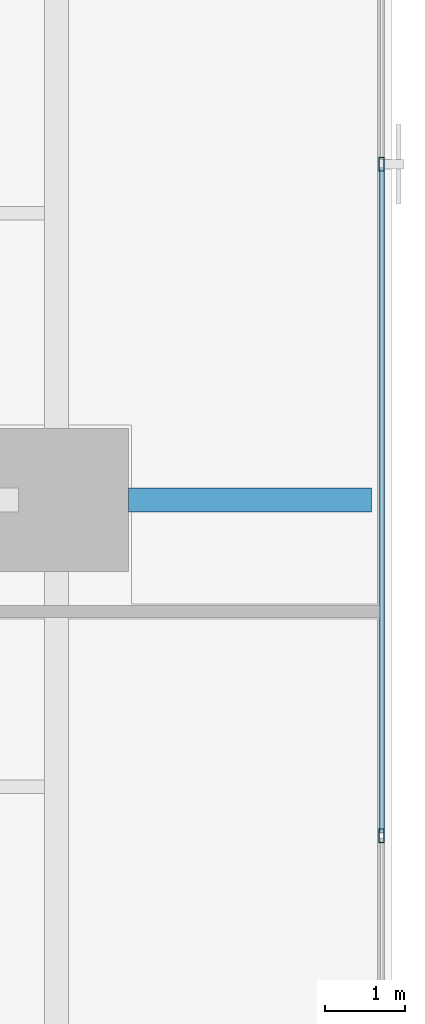
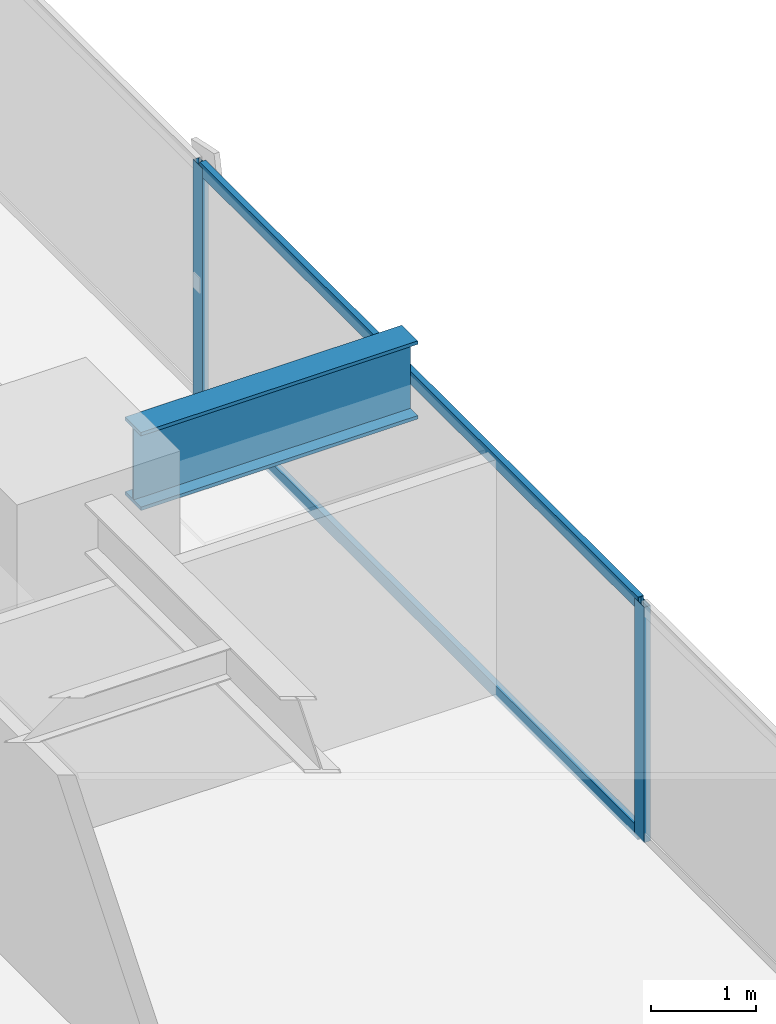
# One storey, part 14 of 32: 4 members, 1 beam, 1 element without a shape of its own.
"""IFC4 building model written with IfcOpenShell, lengths in metres."""

from ifc_helpers import new_model, si_unit, direction, frame, origin, origin_2d, place, context, subcontext, project, spatial, hollow_rectangle, i_section, extrude, source, transform, mapped, material, layer, layer_set, material_profile, profile_set, type_object, element, aggregate, save


model = new_model("IFC4")

# Units and contexts
model_context = context("Model", 3, precision=1e-05, world=origin(), true_north=direction((0.0, 1.0)))
body_context = subcontext(model_context, "Body", "Model", "MODEL_VIEW")
ifc_project = project(units=[si_unit("LENGTHUNIT", "METRE"), si_unit("AREAUNIT", "SQUARE_METRE"), si_unit("VOLUMEUNIT", "CUBIC_METRE"), si_unit("PLANEANGLEUNIT", "RADIAN"), si_unit("MASSUNIT", "GRAM", prefix="KILO")], contexts=[model_context])

# Site, building, storey
site_placement = place(None, origin())
site = spatial("IfcSite", under=ifc_project, at=site_placement, CompositionType="ELEMENT")
building_placement = place(site_placement, origin())
building = spatial("IfcBuilding", under=site, at=building_placement, Name="Sumidabori Civic Tower", CompositionType="ELEMENT")
storey_placement = place(building_placement, frame((0.0, 0.0, 52.39990234375)))
storey = spatial("IfcBuildingStorey", under=building, at=storey_placement, Name="L13", CompositionType="ELEMENT", Elevation=52.39990234375)

# Beam
ifc_material_1 = material(Name="Steel SN490", Category="steel")
ifc_material_profile_1 = material_profile(ifc_material_1, i_section(OverallWidth=0.302001953125, OverallDepth=0.909912109375, WebThickness=0.02099609375, FlangeThickness=0.0400390625, at=origin_2d()), Name="HE 900 M")
ifc_profile_set_1 = profile_set([ifc_material_profile_1], Name="Steel SN490")
beam_type = type_object("IfcBeamType", Name="BM-Z1-EDGE", PredefinedType="SPANDREL", material=ifc_profile_set_1)
shared_shape_1 = source(origin(), body_context, "Body", "SweptSolid", [
    extrude(i_section(OverallWidth=0.302001953125, OverallDepth=0.909912109375, WebThickness=0.02099609375, FlangeThickness=0.0400390625, at=origin_2d()), origin(), (0.0, 0.0, 1.0), 3.050048828125),
])
beam_placement = place(storey_placement, frame((23.699951171875, 0.0, 2.905029296875), z_axis=(1.0, 0.0, 0.0), x_axis=(0.0, 1.0, 0.0)))
element("IfcBeam", 1, at=beam_placement, inside=storey, type_object=beam_type, Name="Perimeter Overhang Beam L13 E-45", PredefinedType="SPANDREL", context=body_context, shape_type="MappedRepresentation", body=[
    mapped(shared_shape_1, transform((0.0, 0.0, 0.0), x_axis=(1.0, 0.0, 0.0), y_axis=(0.0, 1.0, 0.0), z_axis=(0.0, 0.0, 1.0), scale=1.0)),
])

# Curtain wall, members
ifc_material_2 = material(Name="Anodised Bronze Aluminium AW-6063-T6", Category="aluminium")
ifc_layer = layer(ifc_material_2, 0.179931640625, Name="Anodised Bronze Aluminium AW-6063-T6")
ifc_layer_set = layer_set([ifc_layer], Name="Anodised Bronze Aluminium AW-6063-T6")
curtain_wall_type = type_object("IfcCurtainWallType", Name="CW-SYS-2", PredefinedType="NOTDEFINED", material=ifc_layer_set)
curtain_wall_placement = place(storey_placement, origin())
curtain_wall = element("IfcCurtainWall", 2, at=curtain_wall_placement, inside=storey, type_object=curtain_wall_type, Name="Curtain Wall CW:L13:R04", PredefinedType="NOTDEFINED")
ifc_material_profile_2 = material_profile(ifc_material_2, hollow_rectangle(XDim=0.070068359375, YDim=0.179931640625, WallThickness=0.006103515625, at=origin_2d()), Name="ALU MULLION 180x70")
ifc_profile_set_2 = profile_set([ifc_material_profile_2], Name="Anodised Bronze Aluminium AW-6063-T6")
member_type_1 = type_object("IfcMemberType", Name="CW-MUL-180", PredefinedType="MULLION", material=ifc_profile_set_2)
shared_shape_2 = source(origin(), body_context, "Body", "SweptSolid", [
    extrude(hollow_rectangle(XDim=0.070068359375, YDim=0.179931640625, WallThickness=0.006103515625, at=origin_2d()), origin(), (0.0, 0.0, 1.0), 2.739990234375),
])
member_1_placement = place(storey_placement, frame((26.8798828125, -4.214111328125, 0.0), z_axis=(0.0, 0.0, 1.0), x_axis=(-1.0, 0.0, 0.0)))
member_1 = element("IfcMember", 3, at=member_1_placement, type_object=member_type_1, Name="CW-2 mullion 3", PredefinedType="MULLION", context=body_context, shape_type="MappedRepresentation", body=[
    mapped(shared_shape_2, transform((0.0, 0.0, 0.0), x_axis=(1.0, 0.0, 0.0), y_axis=(0.0, 1.0, 0.0), z_axis=(0.0, 0.0, 1.0), scale=1.0)),
])
member_2_placement = place(storey_placement, frame((26.8798828125, 4.214111328125, 0.0), z_axis=(0.0, 0.0, 1.0), x_axis=(-1.0, 0.0, 0.0)))
member_2 = element("IfcMember", 4, at=member_2_placement, type_object=member_type_1, Name="CW-2 mullion 4", PredefinedType="MULLION", context=body_context, shape_type="MappedRepresentation", body=[
    mapped(shared_shape_2, transform((0.0, 0.0, 0.0), x_axis=(1.0, 0.0, 0.0), y_axis=(0.0, 1.0, 0.0), z_axis=(0.0, 0.0, 1.0), scale=1.0)),
])
ifc_material_profile_3 = material_profile(ifc_material_2, hollow_rectangle(XDim=0.06494140625, YDim=0.14990234375, WallThickness=0.0048828125, at=origin_2d()), Name="ALU TRANSOM 150x65")
ifc_profile_set_3 = profile_set([ifc_material_profile_3], Name="Anodised Bronze Aluminium AW-6063-T6")
member_type_2 = type_object("IfcMemberType", Name="CW-TRN-150", PredefinedType="USERDEFINED", material=ifc_profile_set_3)
shared_shape_3 = source(origin(), body_context, "Body", "SweptSolid", [
    extrude(hollow_rectangle(XDim=0.06494140625, YDim=0.14990234375, WallThickness=0.0048828125, at=origin_2d()), origin(), (0.0, 0.0, 1.0), 8.35791015625),
])
member_3_placement = place(storey_placement, frame((26.8798828125, -4.178955078125, 0.03271484375), z_axis=(0.0, 1.0, 0.0), x_axis=(-1.0, 0.0, 0.0)))
member_3 = element("IfcMember", 5, at=member_3_placement, type_object=member_type_2, Name="CW-2 transom 3.1", ObjectType="TRANSOM", PredefinedType="USERDEFINED", context=body_context, shape_type="MappedRepresentation", body=[
    mapped(shared_shape_3, transform((0.0, 0.0, 0.0), x_axis=(1.0, 0.0, 0.0), y_axis=(0.0, 1.0, 0.0), z_axis=(0.0, 0.0, 1.0), scale=1.0)),
])
member_4_placement = place(storey_placement, frame((26.8798828125, -4.178955078125, 2.70751953125), z_axis=(0.0, 1.0, 0.0), x_axis=(-1.0, 0.0, 0.0)))
member_4 = element("IfcMember", 6, at=member_4_placement, type_object=member_type_2, Name="CW-2 transom 3.2", ObjectType="TRANSOM", PredefinedType="USERDEFINED", context=body_context, shape_type="MappedRepresentation", body=[
    mapped(shared_shape_3, transform((0.0, 0.0, 0.0), x_axis=(1.0, 0.0, 0.0), y_axis=(0.0, 1.0, 0.0), z_axis=(0.0, 0.0, 1.0), scale=1.0)),
])
aggregate(curtain_wall, [member_1, member_2, member_3, member_4])

save(model, "model.ifc")
